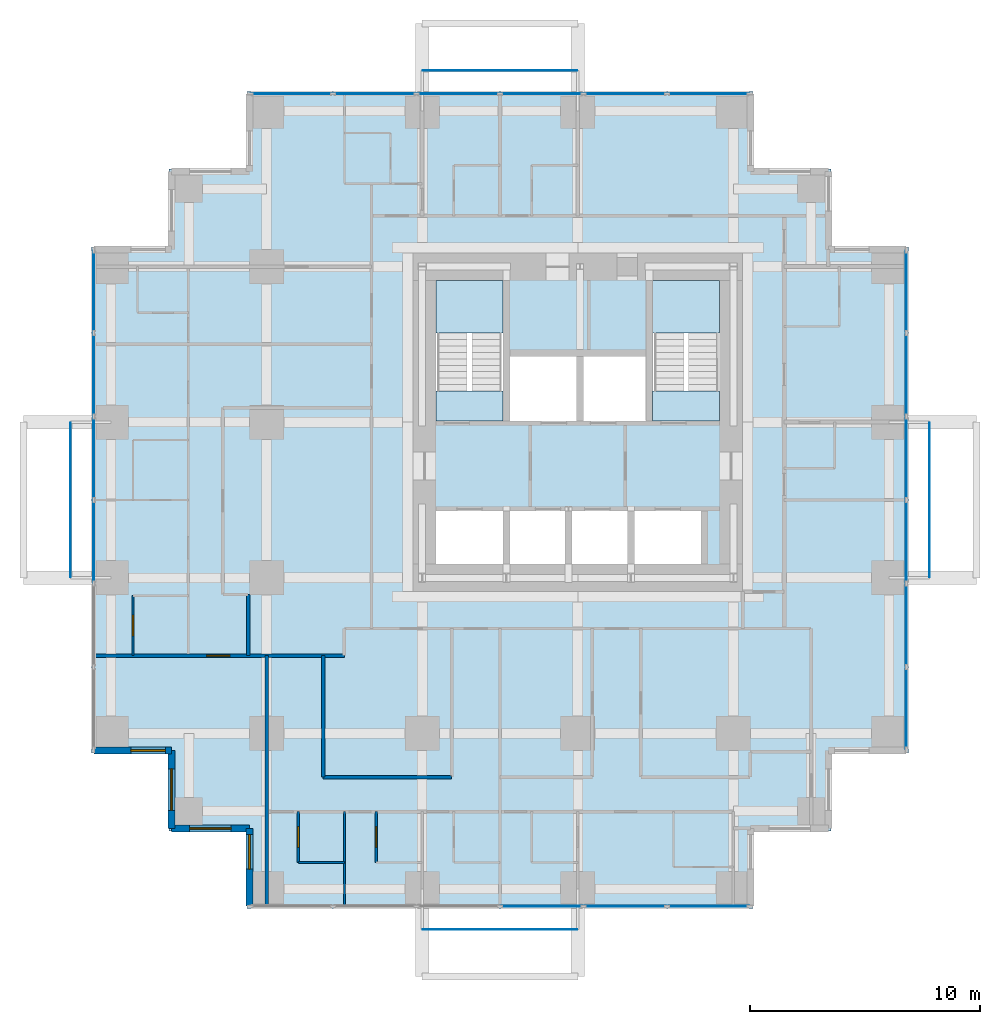
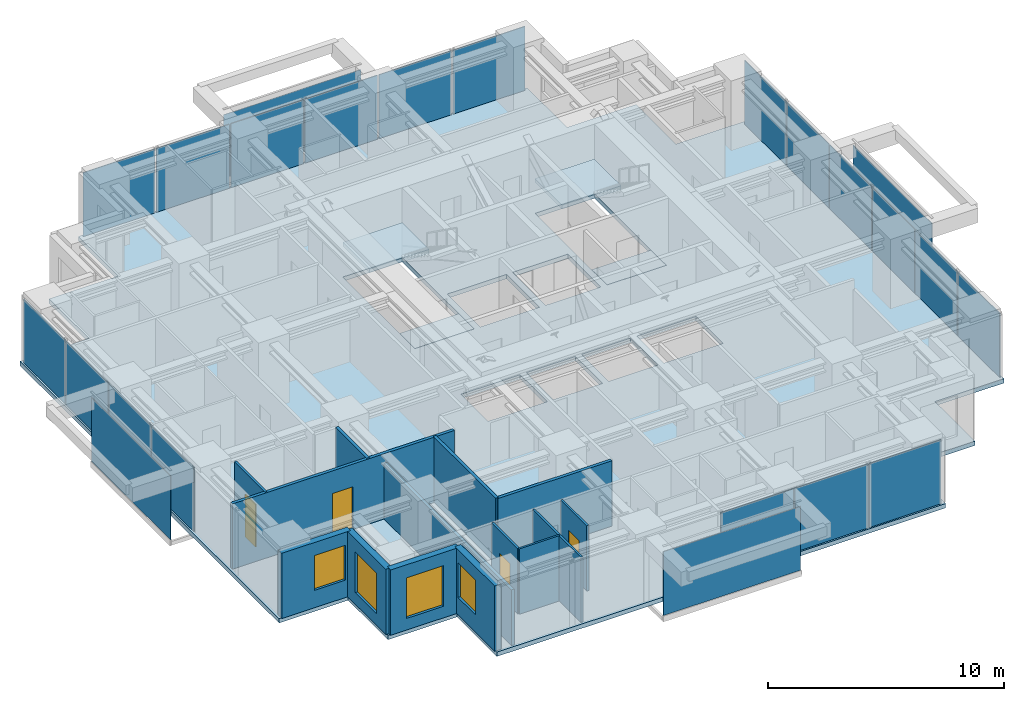
# One storey, part 5 of 10: 23 plates, 14 walls, 5 slabs, 4 doors, 4 windows, 8 openings, 6 elements without a shape of their own.
"""IFC4 building model written with IfcOpenShell, lengths in metres."""

from ifc_helpers import new_model, si_unit, direction, frame, frame_2d, origin, origin_2d, place, context, subcontext, project, spatial, polyline, rectangle, outline, extrude, material, layer, layer_set, type_object, element, fill, aggregate, save


model = new_model("IFC4")

# Units and contexts
model_context = context("Model", 3, precision=1e-05, world=origin(), true_north=direction((0.0, 1.0)))
body_context = subcontext(model_context, "Body", "Model", "MODEL_VIEW")
ifc_project = project(units=[si_unit("LENGTHUNIT", "METRE"), si_unit("AREAUNIT", "SQUARE_METRE"), si_unit("VOLUMEUNIT", "CUBIC_METRE"), si_unit("PLANEANGLEUNIT", "RADIAN"), si_unit("MASSUNIT", "GRAM", prefix="KILO")], contexts=[model_context])

# Site, building, storey
site_placement = place(None, origin())
site = spatial("IfcSite", under=ifc_project, at=site_placement, CompositionType="ELEMENT")
building_placement = place(site_placement, origin())
building = spatial("IfcBuilding", under=site, at=building_placement, Name="Nyansa Garden Tower", CompositionType="ELEMENT")
storey_placement = place(building_placement, frame((0.0, 0.0, 153.0)))
storey = spatial("IfcBuildingStorey", under=building, at=storey_placement, Name="L41", CompositionType="ELEMENT", Elevation=153.0)

# Curtain wall, plates
ifc_material_1 = material(Name="Black anodised aluminium, dark tinted double glazing", Category="aluminium")
curtain_wall_type = type_object("IfcCurtainWallType", Name="Inner skin curtain wall ISW-C", PredefinedType="USERDEFINED", material=ifc_material_1)
curtain_wall_1_placement = place(storey_placement, origin())
curtain_wall_1 = element("IfcCurtainWall", 1, at=curtain_wall_1_placement, inside=storey, type_object=curtain_wall_type, Name="Inner skin curtain wall L41 E", ObjectType="UNITISED CURTAIN WALL", PredefinedType="USERDEFINED")
ifc_material_2 = material(Name="Dark tinted laminated double glazing", Category="glass")
ifc_layer_1 = layer(ifc_material_2, 0.0400390625)
ifc_layer_set_1 = layer_set([ifc_layer_1], Name="Dark tinted vision panel VP-C")
plate_type_1 = type_object("IfcPlateType", Name="Dark tinted vision panel VP-C", PredefinedType="CURTAIN_PANEL", material=ifc_layer_set_1)
plate_1_placement = place(storey_placement, frame((34.5, 7.830078125, 0.0), z_axis=(0.0, 0.0, 1.0), x_axis=(0.0, 1.0, 0.0)))
plate_1 = element("IfcPlate", 2, at=plate_1_placement, type_object=plate_type_1, Name="ISW-C panel 1", PredefinedType="CURTAIN_PANEL", context=body_context, shape_type="SweptSolid", body=[
    extrude(rectangle(XDim=3.52001953125, YDim=0.0400390625, at=origin_2d()), origin(), (0.0, 0.0, 1.0), 3.304931640625),
])
plate_2_placement = place(storey_placement, frame((34.5, 11.4375, 0.0), z_axis=(0.0, 0.0, 1.0), x_axis=(0.0, 1.0, 0.0)))
plate_2 = element("IfcPlate", 3, at=plate_2_placement, type_object=plate_type_1, Name="ISW-C panel 2", PredefinedType="CURTAIN_PANEL", context=body_context, shape_type="SweptSolid", body=[
    extrude(rectangle(XDim=3.554931640625, YDim=0.0400390625, at=origin_2d()), origin(), (0.0, 0.0, 1.0), 3.304931640625),
])
plate_3_placement = place(storey_placement, frame((34.5, 15.0625, 0.0), z_axis=(0.0, 0.0, 1.0), x_axis=(0.0, 1.0, 0.0)))
plate_3 = element("IfcPlate", 4, at=plate_3_placement, type_object=plate_type_1, Name="ISW-C panel 3", PredefinedType="CURTAIN_PANEL", context=body_context, shape_type="SweptSolid", body=[
    extrude(rectangle(XDim=3.554931640625, YDim=0.0400390625, at=origin_2d()), origin(), (0.0, 0.0, 1.0), 3.304931640625),
])
plate_4_placement = place(storey_placement, frame((34.5, 18.6875, 0.0), z_axis=(0.0, 0.0, 1.0), x_axis=(0.0, 1.0, 0.0)))
plate_4 = element("IfcPlate", 5, at=plate_4_placement, type_object=plate_type_1, Name="ISW-C panel 4", PredefinedType="CURTAIN_PANEL", context=body_context, shape_type="SweptSolid", body=[
    extrude(rectangle(XDim=3.554931640625, YDim=0.0400390625, at=origin_2d()), origin(), (0.0, 0.0, 1.0), 3.304931640625),
])
plate_5_placement = place(storey_placement, frame((34.5, 22.3125, 0.0), z_axis=(0.0, 0.0, 1.0), x_axis=(0.0, 1.0, 0.0)))
plate_5 = element("IfcPlate", 6, at=plate_5_placement, type_object=plate_type_1, Name="ISW-C panel 5", PredefinedType="CURTAIN_PANEL", context=body_context, shape_type="SweptSolid", body=[
    extrude(rectangle(XDim=3.554931640625, YDim=0.0400390625, at=origin_2d()), origin(), (0.0, 0.0, 1.0), 3.304931640625),
])
plate_6_placement = place(storey_placement, frame((34.5, 25.919921875, 0.0), z_axis=(0.0, 0.0, 1.0), x_axis=(0.0, 1.0, 0.0)))
plate_6 = element("IfcPlate", 7, at=plate_6_placement, type_object=plate_type_1, Name="ISW-C panel 6", PredefinedType="CURTAIN_PANEL", context=body_context, shape_type="SweptSolid", body=[
    extrude(rectangle(XDim=3.52001953125, YDim=0.0400390625, at=origin_2d()), origin(), (0.0, 0.0, 1.0), 3.304931640625),
])
aggregate(curtain_wall_1, [plate_1, plate_2, plate_3, plate_4, plate_5, plate_6])

curtain_wall_2_placement = place(storey_placement, origin())
curtain_wall_2 = element("IfcCurtainWall", 8, at=curtain_wall_2_placement, inside=storey, type_object=curtain_wall_type, Name="Inner skin curtain wall L41 N", ObjectType="UNITISED CURTAIN WALL", PredefinedType="USERDEFINED")
plate_7_placement = place(storey_placement, frame((25.919921875, 34.5, 0.0), z_axis=(0.0, 0.0, 1.0), x_axis=(-1.0, 0.0, 0.0)))
plate_7 = element("IfcPlate", 9, at=plate_7_placement, type_object=plate_type_1, Name="ISW-C panel 1", PredefinedType="CURTAIN_PANEL", context=body_context, shape_type="SweptSolid", body=[
    extrude(rectangle(XDim=3.52001953125, YDim=0.0400390625, at=origin_2d()), origin(), (0.0, 0.0, 1.0), 3.304931640625),
])
plate_8_placement = place(storey_placement, frame((22.3125, 34.5, 0.0), z_axis=(0.0, 0.0, 1.0), x_axis=(-1.0, 0.0, 0.0)))
plate_8 = element("IfcPlate", 10, at=plate_8_placement, type_object=plate_type_1, Name="ISW-C panel 2", PredefinedType="CURTAIN_PANEL", context=body_context, shape_type="SweptSolid", body=[
    extrude(rectangle(XDim=3.554931640625, YDim=0.0400390625, at=origin_2d()), origin(), (0.0, 0.0, 1.0), 3.304931640625),
])
plate_9_placement = place(storey_placement, frame((18.6875, 34.5, 0.0), z_axis=(0.0, 0.0, 1.0), x_axis=(-1.0, 0.0, 0.0)))
plate_9 = element("IfcPlate", 11, at=plate_9_placement, type_object=plate_type_1, Name="ISW-C panel 3", PredefinedType="CURTAIN_PANEL", context=body_context, shape_type="SweptSolid", body=[
    extrude(rectangle(XDim=3.554931640625, YDim=0.0400390625, at=origin_2d()), origin(), (0.0, 0.0, 1.0), 3.304931640625),
])
plate_10_placement = place(storey_placement, frame((15.0625, 34.5, 0.0), z_axis=(0.0, 0.0, 1.0), x_axis=(-1.0, 0.0, 0.0)))
plate_10 = element("IfcPlate", 12, at=plate_10_placement, type_object=plate_type_1, Name="ISW-C panel 4", PredefinedType="CURTAIN_PANEL", context=body_context, shape_type="SweptSolid", body=[
    extrude(rectangle(XDim=3.554931640625, YDim=0.0400390625, at=origin_2d()), origin(), (0.0, 0.0, 1.0), 3.304931640625),
])
plate_11_placement = place(storey_placement, frame((11.4375, 34.5, 0.0), z_axis=(0.0, 0.0, 1.0), x_axis=(-1.0, 0.0, 0.0)))
plate_11 = element("IfcPlate", 13, at=plate_11_placement, type_object=plate_type_1, Name="ISW-C panel 5", PredefinedType="CURTAIN_PANEL", context=body_context, shape_type="SweptSolid", body=[
    extrude(rectangle(XDim=3.554931640625, YDim=0.0400390625, at=origin_2d()), origin(), (0.0, 0.0, 1.0), 3.304931640625),
])
plate_12_placement = place(storey_placement, frame((7.830078125, 34.5, 0.0), z_axis=(0.0, 0.0, 1.0), x_axis=(-1.0, 0.0, 0.0)))
plate_12 = element("IfcPlate", 14, at=plate_12_placement, type_object=plate_type_1, Name="ISW-C panel 6", PredefinedType="CURTAIN_PANEL", context=body_context, shape_type="SweptSolid", body=[
    extrude(rectangle(XDim=3.52001953125, YDim=0.0400390625, at=origin_2d()), origin(), (0.0, 0.0, 1.0), 3.304931640625),
])
aggregate(curtain_wall_2, [plate_7, plate_8, plate_9, plate_10, plate_11, plate_12])

curtain_wall_3_placement = place(storey_placement, origin())
curtain_wall_3 = element("IfcCurtainWall", 15, at=curtain_wall_3_placement, inside=storey, type_object=curtain_wall_type, Name="Inner skin curtain wall L41 W", ObjectType="UNITISED CURTAIN WALL", PredefinedType="USERDEFINED")
plate_13_placement = place(storey_placement, frame((-0.75, 25.919921875, 0.0), z_axis=(0.0, 0.0, 1.0), x_axis=(0.0, -1.0, 0.0)))
plate_13 = element("IfcPlate", 16, at=plate_13_placement, type_object=plate_type_1, Name="ISW-C panel 1", PredefinedType="CURTAIN_PANEL", context=body_context, shape_type="SweptSolid", body=[
    extrude(rectangle(XDim=3.52001953125, YDim=0.0400390625, at=origin_2d()), origin(), (0.0, 0.0, 1.0), 3.304931640625),
])
plate_14_placement = place(storey_placement, frame((-0.75, 22.3125, 0.0), z_axis=(0.0, 0.0, 1.0), x_axis=(0.0, -1.0, 0.0)))
plate_14 = element("IfcPlate", 17, at=plate_14_placement, type_object=plate_type_1, Name="ISW-C panel 2", PredefinedType="CURTAIN_PANEL", context=body_context, shape_type="SweptSolid", body=[
    extrude(rectangle(XDim=3.554931640625, YDim=0.0400390625, at=origin_2d()), origin(), (0.0, 0.0, 1.0), 3.304931640625),
])
plate_15_placement = place(storey_placement, frame((-0.75, 18.6875, 0.0), z_axis=(0.0, 0.0, 1.0), x_axis=(0.0, -1.0, 0.0)))
plate_15 = element("IfcPlate", 18, at=plate_15_placement, type_object=plate_type_1, Name="ISW-C panel 3", PredefinedType="CURTAIN_PANEL", context=body_context, shape_type="SweptSolid", body=[
    extrude(rectangle(XDim=3.554931640625, YDim=0.0400390625, at=origin_2d()), origin(), (0.0, 0.0, 1.0), 3.304931640625),
])
plate_16_placement = place(storey_placement, frame((-0.75, 15.0625, 0.0), z_axis=(0.0, 0.0, 1.0), x_axis=(0.0, -1.0, 0.0)))
plate_16 = element("IfcPlate", 19, at=plate_16_placement, type_object=plate_type_1, Name="ISW-C panel 4", PredefinedType="CURTAIN_PANEL", context=body_context, shape_type="SweptSolid", body=[
    extrude(rectangle(XDim=3.554931640625, YDim=0.0400390625, at=origin_2d()), origin(), (0.0, 0.0, 1.0), 3.304931640625),
])
aggregate(curtain_wall_3, [plate_13, plate_14, plate_15, plate_16])

curtain_wall_4_placement = place(storey_placement, origin())
curtain_wall_4 = element("IfcCurtainWall", 20, at=curtain_wall_4_placement, inside=storey, type_object=curtain_wall_type, Name="Inner skin curtain wall L41 S", ObjectType="UNITISED CURTAIN WALL", PredefinedType="USERDEFINED")
plate_17_placement = place(storey_placement, frame((18.6875, -0.75, 0.0), z_axis=(0.0, 0.0, 1.0), x_axis=(1.0, 0.0, 0.0)))
plate_17 = element("IfcPlate", 21, at=plate_17_placement, type_object=plate_type_1, Name="ISW-C panel 4", PredefinedType="CURTAIN_PANEL", context=body_context, shape_type="SweptSolid", body=[
    extrude(rectangle(XDim=3.554931640625, YDim=0.0400390625, at=origin_2d()), origin(), (0.0, 0.0, 1.0), 3.304931640625),
])
plate_18_placement = place(storey_placement, frame((22.3125, -0.75, 0.0), z_axis=(0.0, 0.0, 1.0), x_axis=(1.0, 0.0, 0.0)))
plate_18 = element("IfcPlate", 22, at=plate_18_placement, type_object=plate_type_1, Name="ISW-C panel 5", PredefinedType="CURTAIN_PANEL", context=body_context, shape_type="SweptSolid", body=[
    extrude(rectangle(XDim=3.554931640625, YDim=0.0400390625, at=origin_2d()), origin(), (0.0, 0.0, 1.0), 3.304931640625),
])
plate_19_placement = place(storey_placement, frame((25.919921875, -0.75, 0.0), z_axis=(0.0, 0.0, 1.0), x_axis=(1.0, 0.0, 0.0)))
plate_19 = element("IfcPlate", 23, at=plate_19_placement, type_object=plate_type_1, Name="ISW-C panel 6", PredefinedType="CURTAIN_PANEL", context=body_context, shape_type="SweptSolid", body=[
    extrude(rectangle(XDim=3.52001953125, YDim=0.0400390625, at=origin_2d()), origin(), (0.0, 0.0, 1.0), 3.304931640625),
])
aggregate(curtain_wall_4, [plate_17, plate_18, plate_19])

# Slab
ifc_material_3 = material(Name="Concrete C40/50", Category="concrete")
ifc_layer_2 = layer(ifc_material_3, 0.22509765625)
ifc_layer_set_2 = layer_set([ifc_layer_2], Name="Floor slab FS225")
slab_type_1 = type_object("IfcSlabType", Name="Floor slab FS225", PredefinedType="FLOOR", material=ifc_layer_set_2)
slab_1_placement = place(storey_placement, frame((0.0, 0.0, -0.22509765625)))
element("IfcSlab", 24, at=slab_1_placement, inside=storey, type_object=slab_type_1, Name="Floor slab L41", PredefinedType="FLOOR", context=body_context, shape_type="SweptSolid", body=[
    extrude(outline(polyline([(34.60009765625, 5.89990234375), (31.22509765625, 5.89990234375), (31.22509765625, 2.52490234375), (27.85009765625, 2.52490234375), (27.85009765625, -0.85009765625), (5.89990234375, -0.85009765625), (5.89990234375, 2.52490234375), (2.52490234375, 2.52490234375), (2.52490234375, 5.89990234375), (-0.85009765625, 5.89990234375), (-0.85009765625, 27.85009765625), (2.52490234375, 27.85009765625), (2.52490234375, 31.22509765625), (5.89990234375, 31.22509765625), (5.89990234375, 34.60009765625), (27.85009765625, 34.60009765625), (27.85009765625, 31.22509765625), (31.22509765625, 31.22509765625), (31.22509765625, 27.85009765625), (34.60009765625, 27.85009765625), (34.60009765625, 5.89990234375)]), holes=[polyline([(14.10009765625, 14.10009765625), (17.0, 14.10009765625), (17.0, 16.39990234375), (14.10009765625, 16.39990234375), (14.10009765625, 14.10009765625)]), polyline([(17.300048828125, 14.10009765625), (19.699951171875, 14.10009765625), (19.699951171875, 16.39990234375), (17.300048828125, 16.39990234375), (17.300048828125, 14.10009765625)]), polyline([(20.0, 14.10009765625), (22.39990234375, 14.10009765625), (22.39990234375, 16.39990234375), (20.0, 16.39990234375), (20.0, 14.10009765625)]), polyline([(22.699951171875, 14.10009765625), (25.60009765625, 14.10009765625), (25.60009765625, 16.39990234375), (22.699951171875, 16.39990234375), (22.699951171875, 14.10009765625)]), polyline([(17.300048828125, 20.300048828125), (20.199951171875, 20.300048828125), (20.199951171875, 23.10009765625), (17.300048828125, 23.10009765625), (17.300048828125, 20.300048828125)]), polyline([(20.5, 20.300048828125), (23.199951171875, 20.300048828125), (23.199951171875, 23.10009765625), (20.5, 23.10009765625), (20.5, 20.300048828125)]), polyline([(14.10009765625, 20.300048828125), (17.0, 20.300048828125), (17.0, 26.39990234375), (14.10009765625, 26.39990234375), (14.10009765625, 20.300048828125)]), polyline([(23.5, 20.300048828125), (26.39990234375, 20.300048828125), (26.39990234375, 26.39990234375), (23.5, 26.39990234375), (23.5, 20.300048828125)])]), origin(), (0.0, 0.0, 1.0), 0.22509765625),
])

# Plates
ifc_material_4 = material(Name="Dark tinted laminated glass", Category="glass")
ifc_layer_3 = layer(ifc_material_4, 0.02392578125)
ifc_layer_set_3 = layer_set([ifc_layer_3], Name="Outer skin glass panel OS1")
plate_type_2 = type_object("IfcPlateType", Name="Outer skin glass panel OS1", PredefinedType="USERDEFINED", material=ifc_layer_set_3)
for number, where, z_axis, x_axis, name in (
    (25, (35.5, 16.875, -0.22509765625), (0.0, 0.0, 1.0), (0.0, 1.0, 0.0), "Outer skin glass panel L41"),
    (26, (16.875, 35.5, -0.22509765625), (0.0, 0.0, 1.0), (1.0, 0.0, 0.0), "Outer skin glass panel L41"),
    (27, (-1.75, 16.875, -0.22509765625), (0.0, 0.0, 1.0), (0.0, 1.0, 0.0), "Outer skin glass panel L41"),
    (28, (16.875, -1.75, -0.22509765625), (0.0, 0.0, 1.0), (1.0, 0.0, 0.0), "Outer skin glass panel L41"),
):
    element("IfcPlate", number, at=place(storey_placement, frame(where, z_axis=z_axis, x_axis=x_axis)), inside=storey, type_object=plate_type_2, Name=name, ObjectType="OUTER SKIN GLASS", PredefinedType="USERDEFINED", context=body_context, shape_type="SweptSolid", body=[
        extrude(rectangle(XDim=6.7099609375, YDim=0.02392578125, at=origin_2d()), origin(), (0.0, 0.0, 1.0), 3.300048828125),
    ])

# Stair, slabs
ifc_material_5 = material(Name="Precast concrete C40/50", Category="concrete")
stair_type_1 = type_object("IfcStairType", Name="Stair S1 180x280", PredefinedType="HALF_TURN_STAIR", material=ifc_material_5)
stair_1_placement = place(storey_placement, origin())
stair_1 = element("IfcStair", 29, at=stair_1_placement, inside=storey, type_object=stair_type_1, Name="Stair S1 L41", PredefinedType="HALF_TURN_STAIR")
ifc_material_6 = material(Name="Concrete C40/50", Category="concrete")
ifc_layer_4 = layer(ifc_material_6, 0.199951171875)
ifc_layer_set_4 = layer_set([ifc_layer_4], Name="Stair landing SL200")
slab_type_2 = type_object("IfcSlabType", Name="Stair landing SL200", PredefinedType="LANDING", material=ifc_layer_set_4)
slab_2_placement = place(storey_placement, frame((0.0, 0.0, -0.199951171875)))
slab_2 = element("IfcSlab", 30, at=slab_2_placement, type_object=slab_type_2, Name="S1 landing 1", PredefinedType="LANDING", context=body_context, shape_type="SweptSolid", body=[
    extrude(outline(polyline([(14.10009765625, 20.300048828125), (17.0, 20.300048828125), (17.0, 21.60009765625), (14.10009765625, 21.60009765625), (14.10009765625, 20.300048828125)])), origin(), (0.0, 0.0, 1.0), 0.199951171875),
])
slab_3_placement = place(storey_placement, frame((0.0, 0.0, 1.60009765625)))
slab_3 = element("IfcSlab", 31, at=slab_3_placement, type_object=slab_type_2, Name="S1 landing 2", PredefinedType="LANDING", context=body_context, shape_type="SweptSolid", body=[
    extrude(outline(polyline([(14.10009765625, 24.1201171875), (17.0, 24.1201171875), (17.0, 26.39990234375), (14.10009765625, 26.39990234375), (14.10009765625, 24.1201171875)])), origin(), (0.0, 0.0, 1.0), 0.199951171875),
])
aggregate(stair_1, [slab_2, slab_3])

ifc_material_7 = material(Name="Precast concrete C40/50", Category="concrete")
stair_type_2 = type_object("IfcStairType", Name="Stair S2 180x280", PredefinedType="HALF_TURN_STAIR", material=ifc_material_7)
stair_2_placement = place(storey_placement, origin())
stair_2 = element("IfcStair", 32, at=stair_2_placement, inside=storey, type_object=stair_type_2, Name="Stair S2 L41", PredefinedType="HALF_TURN_STAIR")
slab_4_placement = place(storey_placement, frame((0.0, 0.0, -0.199951171875)))
slab_4 = element("IfcSlab", 33, at=slab_4_placement, type_object=slab_type_2, Name="S2 landing 1", PredefinedType="LANDING", context=body_context, shape_type="SweptSolid", body=[
    extrude(outline(polyline([(23.5, 20.300048828125), (26.39990234375, 20.300048828125), (26.39990234375, 21.60009765625), (23.5, 21.60009765625), (23.5, 20.300048828125)])), origin(), (0.0, 0.0, 1.0), 0.199951171875),
])
slab_5_placement = place(storey_placement, frame((0.0, 0.0, 1.60009765625)))
slab_5 = element("IfcSlab", 34, at=slab_5_placement, type_object=slab_type_2, Name="S2 landing 2", PredefinedType="LANDING", context=body_context, shape_type="SweptSolid", body=[
    extrude(outline(polyline([(23.5, 24.1201171875), (26.39990234375, 24.1201171875), (26.39990234375, 26.39990234375), (23.5, 26.39990234375), (23.5, 24.1201171875)])), origin(), (0.0, 0.0, 1.0), 0.199951171875),
])
aggregate(stair_2, [slab_4, slab_5])

# Wall, opening, door
ifc_material_8 = material(Name="Blockwork, plastered both sides", Category="masonry")
ifc_layer_5 = layer(ifc_material_8, 0.14990234375)
ifc_layer_set_5 = layer_set([ifc_layer_5], Name="Partition PW150")
wall_type_1 = type_object("IfcWallType", Name="Partition PW150", PredefinedType="PARTITIONING", material=ifc_layer_set_5)
wall_1_placement = place(storey_placement, frame((-0.73388671875, 10.125, 0.0), z_axis=(0.0, 0.0, 1.0), x_axis=(1.0, 0.0, 0.0)))
wall_1 = element("IfcWall", 35, at=wall_1_placement, inside=storey, type_object=wall_type_1, Name="Partition", PredefinedType="PARTITIONING", context=body_context, shape_type="SweptSolid", body=[
    extrude(rectangle(XDim=10.85888671875, YDim=0.14990234375, at=frame_2d((5.429443359375, 0.0))), origin(), (0.0, 0.0, 1.0), 3.375),
])
opening_1_placement = place(wall_1_placement, frame((4.884033203125, 0.0, 0.0)))
opening_1 = element("IfcOpeningElement", 36, at=opening_1_placement, cuts=wall_1, Name="Opening D03", PredefinedType="OPENING", context=body_context, shape_type="SweptSolid", body=[
    extrude(rectangle(XDim=1.0, YDim=2.199951171875, at=frame_2d((0.5, 1.10009765625))), frame((0.0, 0.0849609375, 0.0), z_axis=(0.0, -1.0, 0.0), x_axis=(1.0, 0.0, 0.0)), (0.0, 0.0, 1.0), 0.169921875),
])
ifc_material_9 = material(Name="Timber flush door, 60 minute fire resisting", Category="wood")
door_type_1 = type_object("IfcDoorType", Name="Cluster entrance door D03 1000x2200", OperationType="SINGLE_SWING_LEFT", PredefinedType="DOOR", material=ifc_material_9)
door_1_placement = place(opening_1_placement, origin())
door_1 = element("IfcDoor", 37, at=door_1_placement, inside=storey, type_object=door_type_1, Name="Door L41-017", OperationType="SINGLE_SWING_LEFT", OverallHeight=2.199951171875, OverallWidth=1.0, PredefinedType="DOOR", context=body_context, shape_type="SweptSolid", body=[
    extrude(rectangle(XDim=1.0, YDim=2.199951171875, at=frame_2d((0.5, 1.10009765625))), frame((0.0, 0.02490234375, 0.0), z_axis=(0.0, -1.0, 0.0), x_axis=(1.0, 0.0, 0.0)), (0.0, 0.0, 1.0), 0.050048828125),
])
fill(opening_1, door_1)

# Walls
wall_2_placement = place(storey_placement, frame((5.949951171875, 10.125, 0.0), z_axis=(0.0, 0.0, 1.0), x_axis=(0.0, 1.0, 0.0)))
element("IfcWall", 38, at=wall_2_placement, inside=storey, type_object=wall_type_1, Name="Partition", PredefinedType="PARTITIONING", context=body_context, shape_type="SweptSolid", body=[
    extrude(rectangle(XDim=2.64990234375, YDim=0.14990234375, at=frame_2d((1.324951171875, 0.0))), origin(), (0.0, 0.0, 1.0), 3.375),
])
wall_3_placement = place(storey_placement, frame((6.75, -0.73388671875, 0.0), z_axis=(0.0, 0.0, 1.0), x_axis=(0.0, 1.0, 0.0)))
element("IfcWall", 39, at=wall_3_placement, inside=storey, type_object=wall_type_1, Name="Partition", PredefinedType="PARTITIONING", context=body_context, shape_type="SweptSolid", body=[
    extrude(rectangle(XDim=10.85888671875, YDim=0.14990234375, at=frame_2d((5.429443359375, 0.0))), origin(), (0.0, 0.0, 1.0), 2.876953125),
])
wall_4_placement = place(storey_placement, frame((9.199951171875, 4.85009765625, 0.0), z_axis=(0.0, 0.0, 1.0), x_axis=(0.0, 1.0, 0.0)))
element("IfcWall", 40, at=wall_4_placement, inside=storey, type_object=wall_type_1, Name="Partition", PredefinedType="PARTITIONING", context=body_context, shape_type="SweptSolid", body=[
    extrude(rectangle(XDim=5.27490234375, YDim=0.14990234375, at=frame_2d((2.637451171875, 0.0))), origin(), (0.0, 0.0, 1.0), 3.375),
])
wall_5_placement = place(storey_placement, frame((9.199951171875, 4.85009765625, 0.0), z_axis=(0.0, 0.0, 1.0), x_axis=(1.0, 0.0, 0.0)))
element("IfcWall", 41, at=wall_5_placement, inside=storey, type_object=wall_type_1, Name="Partition", PredefinedType="PARTITIONING", context=body_context, shape_type="SweptSolid", body=[
    extrude(rectangle(XDim=5.574951171875, YDim=0.14990234375, at=frame_2d((2.78759765625, 0.0))), origin(), (0.0, 0.0, 1.0), 3.375),
])

# Wall, opening, window
ifc_material_10 = material(Name="Turquoise glazed tile on concrete blockwork", Category="masonry")
ifc_layer_6 = layer(ifc_material_10, 0.300048828125)
ifc_layer_set_6 = layer_set([ifc_layer_6], Name="Tiled corner wall TW300")
wall_type_2 = type_object("IfcWallType", Name="Tiled corner wall TW300", PredefinedType="SOLIDWALL", material=ifc_layer_set_6)
wall_6_placement = place(storey_placement, frame((-0.75, 6.0, 0.0), z_axis=(0.0, 0.0, 1.0), x_axis=(1.0, 0.0, 0.0)))
wall_6 = element("IfcWall", 42, at=wall_6_placement, inside=storey, type_object=wall_type_2, Name="Tiled corner wall L41", PredefinedType="SOLIDWALL", context=body_context, shape_type="SweptSolid", body=[
    extrude(rectangle(XDim=3.375, YDim=0.300048828125, at=frame_2d((1.6875, 0.0))), origin(), (0.0, 0.0, 1.0), 3.375),
])
opening_2_placement = place(wall_6_placement, frame((1.607421875, 0.0, 0.89990234375)))
opening_2 = element("IfcOpeningElement", 43, at=opening_2_placement, cuts=wall_6, Name="Opening W1", PredefinedType="OPENING", context=body_context, shape_type="SweptSolid", body=[
    extrude(rectangle(XDim=1.5, YDim=1.800048828125, at=frame_2d((0.75, 0.89990234375))), frame((0.0, 0.159912109375, 0.0), z_axis=(0.0, -1.0, 0.0), x_axis=(1.0, 0.0, 0.0)), (0.0, 0.0, 1.0), 0.320068359375),
])
ifc_material_11 = material(Name="Black aluminium frame, dark tinted double glazing", Category="aluminium")
window_type_1 = type_object("IfcWindowType", Name="Window W1 1500x1800", PartitioningType="SINGLE_PANEL", PredefinedType="WINDOW", material=ifc_material_11)
window_1_placement = place(opening_2_placement, origin())
window_1 = element("IfcWindow", 44, at=window_1_placement, inside=storey, type_object=window_type_1, Name="Corner window L41", OverallHeight=1.800048828125, OverallWidth=1.5, PartitioningType="SINGLE_PANEL", PredefinedType="WINDOW", context=body_context, shape_type="SweptSolid", body=[
    extrude(rectangle(XDim=1.5, YDim=1.800048828125, at=frame_2d((0.75, 0.89990234375))), frame((0.0, 0.030029296875, 0.0), z_axis=(0.0, -1.0, 0.0), x_axis=(1.0, 0.0, 0.0)), (0.0, 0.0, 1.0), 0.06005859375),
])
fill(opening_2, window_1)

wall_7_placement = place(storey_placement, frame((2.625, 6.0, 0.0), z_axis=(0.0, 0.0, 1.0), x_axis=(0.0, -1.0, 0.0)))
wall_7 = element("IfcWall", 45, at=wall_7_placement, inside=storey, type_object=wall_type_2, Name="Tiled corner wall L41", PredefinedType="SOLIDWALL", context=body_context, shape_type="SweptSolid", body=[
    extrude(rectangle(XDim=3.375, YDim=0.300048828125, at=frame_2d((1.6875, 0.0))), origin(), (0.0, 0.0, 1.0), 3.375),
])
opening_3_placement = place(wall_7_placement, frame((0.78759765625, 0.0, 0.60009765625)))
opening_3 = element("IfcOpeningElement", 46, at=opening_3_placement, cuts=wall_7, Name="Opening W2", PredefinedType="OPENING", context=body_context, shape_type="SweptSolid", body=[
    extrude(rectangle(XDim=1.800048828125, YDim=2.10009765625, at=frame_2d((0.89990234375, 1.050048828125))), frame((0.0, 0.159912109375, 0.0), z_axis=(0.0, -1.0, 0.0), x_axis=(1.0, 0.0, 0.0)), (0.0, 0.0, 1.0), 0.320068359375),
])
ifc_material_12 = material(Name="Black aluminium frame, dark tinted double glazing", Category="aluminium")
window_type_2 = type_object("IfcWindowType", Name="Window W2 1800x2100", PartitioningType="SINGLE_PANEL", PredefinedType="WINDOW", material=ifc_material_12)
window_2_placement = place(opening_3_placement, origin())
window_2 = element("IfcWindow", 47, at=window_2_placement, inside=storey, type_object=window_type_2, Name="Corner window L41", OverallHeight=2.10009765625, OverallWidth=1.800048828125, PartitioningType="SINGLE_PANEL", PredefinedType="WINDOW", context=body_context, shape_type="SweptSolid", body=[
    extrude(rectangle(XDim=1.800048828125, YDim=2.10009765625, at=frame_2d((0.89990234375, 1.050048828125))), frame((0.0, 0.030029296875, 0.0), z_axis=(0.0, -1.0, 0.0), x_axis=(1.0, 0.0, 0.0)), (0.0, 0.0, 1.0), 0.06005859375),
])
fill(opening_3, window_2)

wall_8_placement = place(storey_placement, frame((2.625, 2.625, 0.0), z_axis=(0.0, 0.0, 1.0), x_axis=(1.0, 0.0, 0.0)))
wall_8 = element("IfcWall", 48, at=wall_8_placement, inside=storey, type_object=wall_type_2, Name="Tiled corner wall L41", PredefinedType="SOLIDWALL", context=body_context, shape_type="SweptSolid", body=[
    extrude(rectangle(XDim=3.375, YDim=0.300048828125, at=frame_2d((1.6875, 0.0))), origin(), (0.0, 0.0, 1.0), 3.375),
])
opening_4_placement = place(wall_8_placement, frame((0.78759765625, 0.0, 0.60009765625)))
opening_4 = element("IfcOpeningElement", 49, at=opening_4_placement, cuts=wall_8, Name="Opening W2", PredefinedType="OPENING", context=body_context, shape_type="SweptSolid", body=[
    extrude(rectangle(XDim=1.800048828125, YDim=2.10009765625, at=frame_2d((0.89990234375, 1.050048828125))), frame((0.0, 0.159912109375, 0.0), z_axis=(0.0, -1.0, 0.0), x_axis=(1.0, 0.0, 0.0)), (0.0, 0.0, 1.0), 0.320068359375),
])
window_3_placement = place(opening_4_placement, origin())
window_3 = element("IfcWindow", 50, at=window_3_placement, inside=storey, type_object=window_type_2, Name="Corner window L41", OverallHeight=2.10009765625, OverallWidth=1.800048828125, PartitioningType="SINGLE_PANEL", PredefinedType="WINDOW", context=body_context, shape_type="SweptSolid", body=[
    extrude(rectangle(XDim=1.800048828125, YDim=2.10009765625, at=frame_2d((0.89990234375, 1.050048828125))), frame((0.0, 0.030029296875, 0.0), z_axis=(0.0, -1.0, 0.0), x_axis=(1.0, 0.0, 0.0)), (0.0, 0.0, 1.0), 0.06005859375),
])
fill(opening_4, window_3)

wall_9_placement = place(storey_placement, frame((6.0, 2.625, 0.0), z_axis=(0.0, 0.0, 1.0), x_axis=(0.0, -1.0, 0.0)))
wall_9 = element("IfcWall", 51, at=wall_9_placement, inside=storey, type_object=wall_type_2, Name="Tiled corner wall L41", PredefinedType="SOLIDWALL", context=body_context, shape_type="SweptSolid", body=[
    extrude(rectangle(XDim=3.375, YDim=0.300048828125, at=frame_2d((1.6875, 0.0))), origin(), (0.0, 0.0, 1.0), 3.375),
])
opening_5_placement = place(wall_9_placement, frame((0.267578125, 0.0, 0.89990234375)))
opening_5 = element("IfcOpeningElement", 52, at=opening_5_placement, cuts=wall_9, Name="Opening W1", PredefinedType="OPENING", context=body_context, shape_type="SweptSolid", body=[
    extrude(rectangle(XDim=1.5, YDim=1.800048828125, at=frame_2d((0.75, 0.89990234375))), frame((0.0, 0.159912109375, 0.0), z_axis=(0.0, -1.0, 0.0), x_axis=(1.0, 0.0, 0.0)), (0.0, 0.0, 1.0), 0.320068359375),
])
window_4_placement = place(opening_5_placement, origin())
window_4 = element("IfcWindow", 53, at=window_4_placement, inside=storey, type_object=window_type_1, Name="Corner window L41", OverallHeight=1.800048828125, OverallWidth=1.5, PartitioningType="SINGLE_PANEL", PredefinedType="WINDOW", context=body_context, shape_type="SweptSolid", body=[
    extrude(rectangle(XDim=1.5, YDim=1.800048828125, at=frame_2d((0.75, 0.89990234375))), frame((0.0, 0.030029296875, 0.0), z_axis=(0.0, -1.0, 0.0), x_axis=(1.0, 0.0, 0.0)), (0.0, 0.0, 1.0), 0.06005859375),
])
fill(opening_5, window_4)

# Wall, opening, door
ifc_material_13 = material(Name="Moisture resistant board on steel studs, tiled", Category="steel")
ifc_layer_7 = layer(ifc_material_13, 0.10009765625)
ifc_layer_set_7 = layer_set([ifc_layer_7], Name="Wet wall PW100")
wall_type_3 = type_object("IfcWallType", Name="Wet wall PW100", PredefinedType="PARTITIONING", material=ifc_layer_set_7)
wall_10_placement = place(storey_placement, frame((0.949951171875, 10.125, 0.0), z_axis=(0.0, 0.0, 1.0), x_axis=(0.0, 1.0, 0.0)))
wall_10 = element("IfcWall", 54, at=wall_10_placement, inside=storey, type_object=wall_type_3, Name="Wet wall", PredefinedType="PARTITIONING", context=body_context, shape_type="SweptSolid", body=[
    extrude(rectangle(XDim=2.60009765625, YDim=0.10009765625, at=frame_2d((1.300048828125, 0.0))), origin(), (0.0, 0.0, 1.0), 3.375),
])
opening_6_placement = place(wall_10_placement, frame((0.85009765625, 0.0, 0.0)))
opening_6 = element("IfcOpeningElement", 55, at=opening_6_placement, cuts=wall_10, Name="Opening D02", PredefinedType="OPENING", context=body_context, shape_type="SweptSolid", body=[
    extrude(rectangle(XDim=0.89990234375, YDim=2.199951171875, at=frame_2d((0.449951171875, 1.10009765625))), frame((0.0, 0.06005859375, 0.0), z_axis=(0.0, -1.0, 0.0), x_axis=(1.0, 0.0, 0.0)), (0.0, 0.0, 1.0), 0.1201171875),
])
ifc_material_14 = material(Name="Timber flush door", Category="wood")
door_type_2 = type_object("IfcDoorType", Name="En-suite door D02 900x2200", OperationType="SINGLE_SWING_RIGHT", PredefinedType="DOOR", material=ifc_material_14)
door_2_placement = place(opening_6_placement, origin())
door_2 = element("IfcDoor", 56, at=door_2_placement, inside=storey, type_object=door_type_2, Name="Door L41-052", OperationType="SINGLE_SWING_RIGHT", OverallHeight=2.199951171875, OverallWidth=0.89990234375, PredefinedType="DOOR", context=body_context, shape_type="SweptSolid", body=[
    extrude(rectangle(XDim=0.89990234375, YDim=2.199951171875, at=frame_2d((0.449951171875, 1.10009765625))), frame((0.0, 0.02490234375, 0.0), z_axis=(0.0, -1.0, 0.0), x_axis=(1.0, 0.0, 0.0)), (0.0, 0.0, 1.0), 0.050048828125),
])
fill(opening_6, door_2)

wall_11_placement = place(storey_placement, frame((8.125, 1.14990234375, 0.0), z_axis=(0.0, 0.0, 1.0), x_axis=(0.0, 1.0, 0.0)))
wall_11 = element("IfcWall", 57, at=wall_11_placement, inside=storey, type_object=wall_type_3, Name="Wet wall", PredefinedType="PARTITIONING", context=body_context, shape_type="SweptSolid", body=[
    extrude(rectangle(XDim=2.2001953125, YDim=0.10009765625, at=frame_2d((1.10009765625, 0.0))), origin(), (0.0, 0.0, 1.0), 3.375),
])
opening_7_placement = place(wall_11_placement, frame((0.64990234375, 0.0, 0.0)))
opening_7 = element("IfcOpeningElement", 58, at=opening_7_placement, cuts=wall_11, Name="Opening D02", PredefinedType="OPENING", context=body_context, shape_type="SweptSolid", body=[
    extrude(rectangle(XDim=0.89990234375, YDim=2.199951171875, at=frame_2d((0.449951171875, 1.10009765625))), frame((0.0, 0.06005859375, 0.0), z_axis=(0.0, -1.0, 0.0), x_axis=(1.0, 0.0, 0.0)), (0.0, 0.0, 1.0), 0.1201171875),
])
door_3_placement = place(opening_7_placement, origin())
door_3 = element("IfcDoor", 59, at=door_3_placement, inside=storey, type_object=door_type_2, Name="Door L41-019", OperationType="SINGLE_SWING_RIGHT", OverallHeight=2.199951171875, OverallWidth=0.89990234375, PredefinedType="DOOR", context=body_context, shape_type="SweptSolid", body=[
    extrude(rectangle(XDim=0.89990234375, YDim=2.199951171875, at=frame_2d((0.449951171875, 1.10009765625))), frame((0.0, 0.02490234375, 0.0), z_axis=(0.0, -1.0, 0.0), x_axis=(1.0, 0.0, 0.0)), (0.0, 0.0, 1.0), 0.050048828125),
])
fill(opening_7, door_3)

# Walls
wall_12_placement = place(storey_placement, frame((8.125, 1.14990234375, 0.0), z_axis=(0.0, 0.0, 1.0), x_axis=(1.0, 0.0, 0.0)))
element("IfcWall", 60, at=wall_12_placement, inside=storey, type_object=wall_type_3, Name="Wet wall", PredefinedType="PARTITIONING", context=body_context, shape_type="SweptSolid", body=[
    extrude(rectangle(XDim=2.0, YDim=0.10009765625, at=frame_2d((1.0, 0.0))), origin(), (0.0, 0.0, 1.0), 3.375),
])
wall_13_placement = place(storey_placement, frame((10.125, -0.73388671875, 0.0), z_axis=(0.0, 0.0, 1.0), x_axis=(0.0, 1.0, 0.0)))
element("IfcWall", 61, at=wall_13_placement, inside=storey, type_object=wall_type_3, Name="Wet wall", PredefinedType="PARTITIONING", context=body_context, shape_type="SweptSolid", body=[
    extrude(rectangle(XDim=4.083984375, YDim=0.10009765625, at=frame_2d((2.0419921875, 0.0))), origin(), (0.0, 0.0, 1.0), 3.375),
])

# Wall, opening, door
wall_14_placement = place(storey_placement, frame((11.5, 1.14990234375, 0.0), z_axis=(0.0, 0.0, 1.0), x_axis=(0.0, 1.0, 0.0)))
wall_14 = element("IfcWall", 62, at=wall_14_placement, inside=storey, type_object=wall_type_3, Name="Wet wall", PredefinedType="PARTITIONING", context=body_context, shape_type="SweptSolid", body=[
    extrude(rectangle(XDim=2.2001953125, YDim=0.10009765625, at=frame_2d((1.10009765625, 0.0))), origin(), (0.0, 0.0, 1.0), 3.375),
])
opening_8_placement = place(wall_14_placement, frame((0.64990234375, 0.0, 0.0)))
opening_8 = element("IfcOpeningElement", 63, at=opening_8_placement, cuts=wall_14, Name="Opening D02", PredefinedType="OPENING", context=body_context, shape_type="SweptSolid", body=[
    extrude(rectangle(XDim=0.89990234375, YDim=2.199951171875, at=frame_2d((0.449951171875, 1.10009765625))), frame((0.0, 0.06005859375, 0.0), z_axis=(0.0, -1.0, 0.0), x_axis=(1.0, 0.0, 0.0)), (0.0, 0.0, 1.0), 0.1201171875),
])
door_4_placement = place(opening_8_placement, origin())
door_4 = element("IfcDoor", 64, at=door_4_placement, inside=storey, type_object=door_type_2, Name="Door L41-021", OperationType="SINGLE_SWING_RIGHT", OverallHeight=2.199951171875, OverallWidth=0.89990234375, PredefinedType="DOOR", context=body_context, shape_type="SweptSolid", body=[
    extrude(rectangle(XDim=0.89990234375, YDim=2.199951171875, at=frame_2d((0.449951171875, 1.10009765625))), frame((0.0, 0.02490234375, 0.0), z_axis=(0.0, -1.0, 0.0), x_axis=(1.0, 0.0, 0.0)), (0.0, 0.0, 1.0), 0.050048828125),
])
fill(opening_8, door_4)

save(model, "model.ifc")
